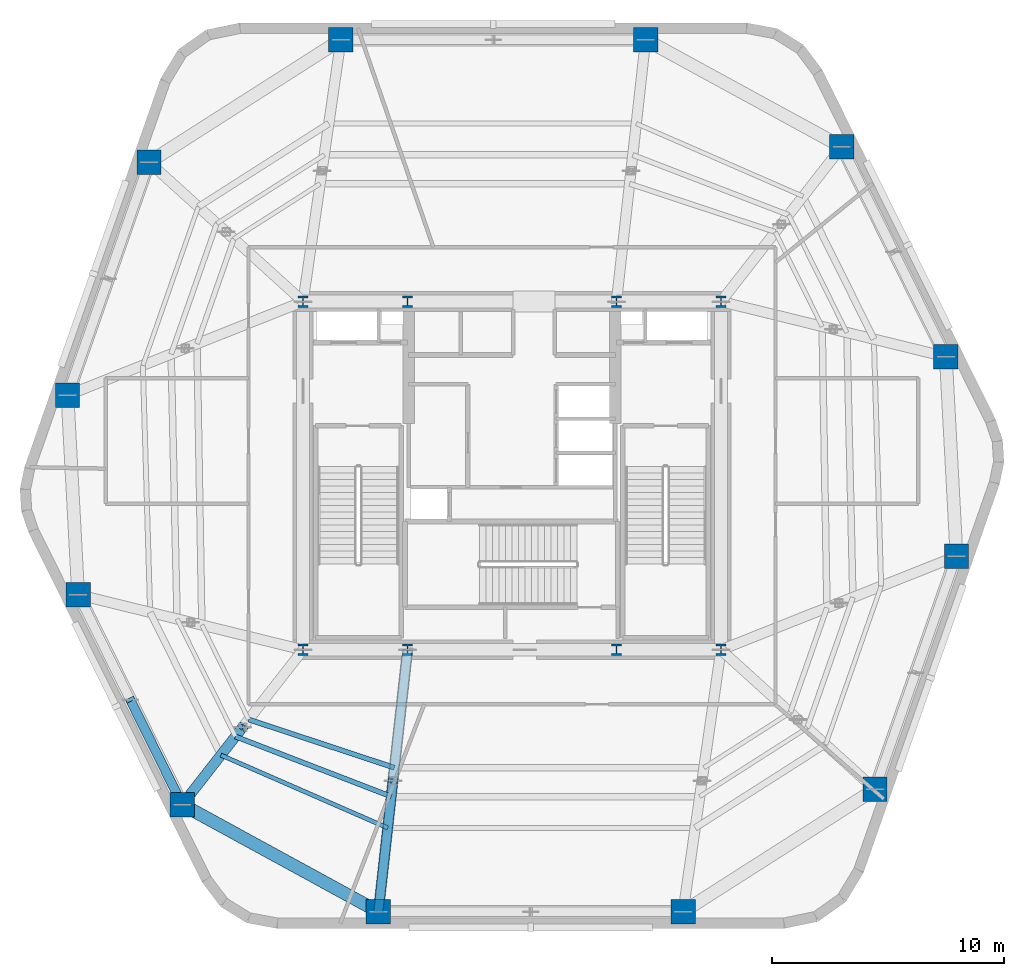
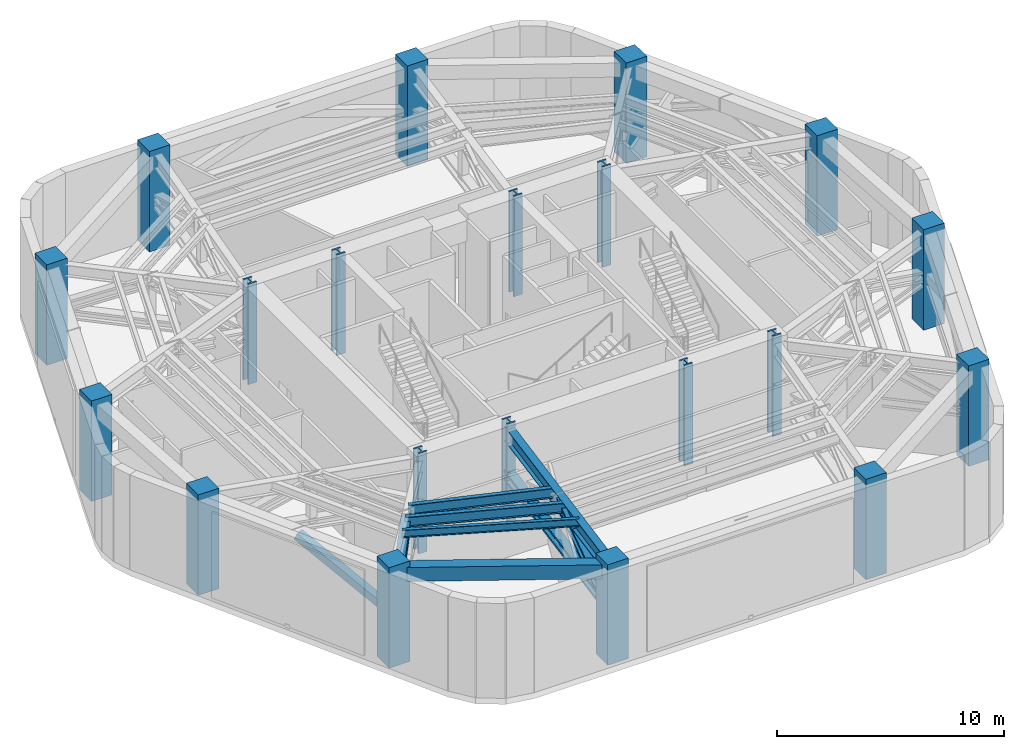
# One storey, part 1 of 10: 20 columns, 5 beams, 4 members.
"""IFC4 building model written with IfcOpenShell, lengths in metres."""

import ifcopenshell
import ifcopenshell.guid

model = None  # the IFC model being written
_history = None  # IfcOwnerHistory: only IFC2X3 demands one
_inside = {}  # id of a spatial element -> (the spatial element, [elements in it])
_under = {}  # id of a project, library or spatial element -> (it, [spatial elements below it])
_declared = {}  # id of a project -> (the project, [libraries it declares])
_typed = {}  # id of a type object -> (the type object, [elements of that type])
_made_of = {}  # id of a material, layer set ... -> (it, [elements and type objects made of it])


def new_model(schema):
    """Start an empty IFC model of exactly this schema.

    Asked for "IFC4X3", IfcOpenShell would pick the latest addendum, in which some entities
    have other attributes; the version numbers below select the first issue.
    IFC2X3 requires an IfcOwnerHistory on every rooted entity: one is made here for all.
    """
    global model, _history
    if schema == "IFC4X3":
        model = ifcopenshell.file(schema_version=(4, 3, 0, 0))
    else:
        model = ifcopenshell.file(schema=schema)
    _inside.clear()
    _under.clear()
    _declared.clear()
    _typed.clear()
    _made_of.clear()
    _history = None
    if model.schema == "IFC2X3":
        org = make("IfcOrganization", Name="unknown")
        user = make(
            "IfcPersonAndOrganization",
            ThePerson=make("IfcPerson", FamilyName="unknown"),
            TheOrganization=org,
        )
        app = make(
            "IfcApplication",
            ApplicationDeveloper=org,
            Version="unknown",
            ApplicationFullName="unknown",
            ApplicationIdentifier="unknown",
        )
        _history = make(
            "IfcOwnerHistory",
            OwningUser=user,
            OwningApplication=app,
            ChangeAction="ADDED",
            CreationDate=0,
        )
    return model


def make(cls, **values):
    """One entity of the class cls with the attributes given. An attribute that is None is left unset."""
    return model.create_entity(
        cls, **{name: value for name, value in values.items() if value is not None}
    )


def rooted(cls, **values):
    """An entity with a GlobalId (a new one), such as an element, a storey or a relation."""
    return make(cls, GlobalId=ifcopenshell.guid.new(), OwnerHistory=_history, **values)


def si_unit(unit_type, name, prefix=None):
    """IfcSIUnit, for example si_unit("LENGTHUNIT", "METRE", prefix="MILLI")."""
    return make("IfcSIUnit", UnitType=unit_type, Prefix=prefix, Name=name)


def assignment(units):
    """IfcUnitAssignment: the units of a project."""
    return None if units is None else make("IfcUnitAssignment", Units=units)


def point(xyz):
    """IfcCartesianPoint."""
    return None if xyz is None else make("IfcCartesianPoint", Coordinates=xyz)


def direction(xyz):
    """IfcDirection."""
    return None if xyz is None else make("IfcDirection", DirectionRatios=xyz)


def frame(location, z_axis=None, x_axis=None):
    """IfcAxis2Placement3D, a coordinate frame: its origin and axes. An axis left out is left unset."""
    return make(
        "IfcAxis2Placement3D",
        Location=point(location),
        Axis=direction(z_axis),
        RefDirection=direction(x_axis),
    )


def frame_2d(location, x_axis=None):
    """IfcAxis2Placement2D, a coordinate frame in the plane: its origin and x axis."""
    return make(
        "IfcAxis2Placement2D", Location=point(location), RefDirection=direction(x_axis)
    )


def origin():
    """The frame at (0, 0, 0) with its axes left unset."""
    return frame((0.0, 0.0, 0.0))


def origin_2d():
    """The frame at (0, 0) in the plane with its x axis left unset."""
    return frame_2d((0.0, 0.0))


def place(relative_to, where):
    """IfcLocalPlacement: puts the frame where relative to a parent placement (None: the world)."""
    return make(
        "IfcLocalPlacement", PlacementRelTo=relative_to, RelativePlacement=where
    )


def context(
    kind, dimensions, precision=None, world=None, true_north=None, identifier=None
):
    """IfcGeometricRepresentationContext, for example the 3D "Model" context."""
    return make(
        "IfcGeometricRepresentationContext",
        ContextIdentifier=identifier,
        ContextType=kind,
        CoordinateSpaceDimension=dimensions,
        Precision=precision,
        WorldCoordinateSystem=world,
        TrueNorth=true_north,
    )


def subcontext(parent, identifier, kind, view, scale=None):
    """IfcGeometricRepresentationSubContext, for example "Body" below "Model"."""
    return make(
        "IfcGeometricRepresentationSubContext",
        ContextIdentifier=identifier,
        ContextType=kind,
        ParentContext=parent,
        TargetScale=scale,
        TargetView=view,
    )


def project(units=None, contexts=None):
    """IfcProject with its units and contexts."""
    return rooted(
        "IfcProject",
        Name="project",
        RepresentationContexts=contexts,
        UnitsInContext=assignment(units),
    )


def spatial(cls, under=None, at=None, **own):
    """A site, building, storey or space (cls), placed at a placement, below another one or the project."""
    s = rooted(cls, ObjectPlacement=at, **own)
    if under is not None:
        _under.setdefault(under.id(), (under, []))[1].append(s)
    return s


def profile(cls, at=None, kind="AREA", **sizes):
    """A parametric profile (cls). Its sizes go by their IFC names, for example OverallWidth=200.0."""
    return make(cls, ProfileType=kind, Position=at, **sizes)


def rectangle(**sizes):
    """IfcRectangleProfileDef."""
    return profile("IfcRectangleProfileDef", **sizes)


def hollow_rectangle(**sizes):
    """IfcRectangleHollowProfileDef."""
    return profile("IfcRectangleHollowProfileDef", **sizes)


def i_section(**sizes):
    """IfcIShapeProfileDef."""
    return profile("IfcIShapeProfileDef", **sizes)


def extrude(swept, where, along, depth):
    """IfcExtrudedAreaSolid: the profile swept, set in the frame where, extruded along a direction by depth."""
    return make(
        "IfcExtrudedAreaSolid",
        SweptArea=swept,
        Position=where,
        ExtrudedDirection=direction(along),
        Depth=depth,
    )


def shape(context_of_items, identifier, shape_type, items):
    """IfcShapeRepresentation: the items that make up one representation, for example the "Body"."""
    return make(
        "IfcShapeRepresentation",
        ContextOfItems=context_of_items,
        RepresentationIdentifier=identifier,
        RepresentationType=shape_type,
        Items=items,
    )


def material(Name=None, Category=None):
    """IfcMaterial."""
    return make("IfcMaterial", Name=Name, Category=Category)


def material_profile(
    of_material, cross_section, Name=None, Category=None, Priority=None
):
    """IfcMaterialProfile: a cross section and its material."""
    return make(
        "IfcMaterialProfile",
        Name=Name,
        Material=of_material,
        Profile=cross_section,
        Priority=Priority,
        Category=Category,
    )


def profile_set(profiles, Name=None, composite=None):
    """IfcMaterialProfileSet."""
    return make(
        "IfcMaterialProfileSet",
        Name=Name,
        MaterialProfiles=profiles,
        CompositeProfile=composite,
    )


def made_of(thing, what):
    """Note that an element or type object is made of a material, layer set ...; save() writes the relation."""
    if what is not None:
        _made_of.setdefault(what.id(), (what, []))[1].append(thing)
    return thing


def type_object(cls, material=None, **own):
    """A type object (cls), such as IfcWallType, which elements share."""
    return made_of(rooted(cls, **own), material)


def element(
    cls,
    number,
    at=None,
    inside=None,
    cuts=None,
    type_object=None,
    material=None,
    context=None,
    identifier="Body",
    shape_type=None,
    held_by="IfcProductDefinitionShape",
    body=None,
    shapes=None,
    **own,
):
    """One element of the class cls, such as IfcWall. Its Tag is "e" and its number.

    at: its placement. inside: the storey or other place that contains it. cuts: it is an
    opening in that element (IfcRelVoidsElement). A single representation is given by context,
    identifier, shape_type and body (its items); several are given by shapes. held_by: the class
    of the entity that holds the representations. save() writes the other relations.
    """
    e = rooted(cls, Tag="e%d" % number, ObjectPlacement=at, **own)
    if body is not None:
        shapes = [shape(context, identifier, shape_type, body)]
    if shapes is not None:
        e.Representation = make(held_by, Representations=shapes)
    if inside is not None:
        _inside.setdefault(inside.id(), (inside, []))[1].append(e)
    if cuts is not None:
        rooted(
            "IfcRelVoidsElement", RelatingBuildingElement=cuts, RelatedOpeningElement=e
        )
    if type_object is not None:
        _typed.setdefault(type_object.id(), (type_object, []))[1].append(e)
    return made_of(e, material)


def aggregate(whole, parts):
    """IfcRelAggregates: a whole, such as a stair, and the parts it consists of."""
    return rooted("IfcRelAggregates", RelatingObject=whole, RelatedObjects=parts)


def save(model, path):
    """Write the relations noted so far, then the file.

    IfcRelAggregates (storeys below a building ...), IfcRelContainedInSpatialStructure (elements
    in a storey), IfcRelDefinesByType, IfcRelAssociatesMaterial and IfcRelDeclares: one each for
    every whole, place, type object, material and project.
    """
    for whole, parts in _under.values():
        aggregate(whole, parts)
    for where, things in _inside.values():
        rooted(
            "IfcRelContainedInSpatialStructure",
            RelatedElements=things,
            RelatingStructure=where,
        )
    for kind, things in _typed.values():
        rooted("IfcRelDefinesByType", RelatedObjects=things, RelatingType=kind)
    for what, things in _made_of.values():
        rooted("IfcRelAssociatesMaterial", RelatedObjects=things, RelatingMaterial=what)
    for by, libraries in _declared.values():
        rooted("IfcRelDeclares", RelatingContext=by, RelatedDefinitions=libraries)
    model.write(path)


model = new_model("IFC4")

# Units and contexts
model_context = context("Model", 3, precision=1e-05, world=origin(), true_north=direction((0.0, 1.0)))
body_context = subcontext(model_context, "Body", "Model", "MODEL_VIEW")
ifc_project = project(units=[si_unit("LENGTHUNIT", "METRE"), si_unit("AREAUNIT", "SQUARE_METRE"), si_unit("VOLUMEUNIT", "CUBIC_METRE"), si_unit("PLANEANGLEUNIT", "RADIAN"), si_unit("MASSUNIT", "GRAM", prefix="KILO")], contexts=[model_context])

# Site, building, storey
site_placement = place(None, origin())
site = spatial("IfcSite", under=ifc_project, at=site_placement, CompositionType="ELEMENT")
building_placement = place(site_placement, origin())
building = spatial("IfcBuilding", under=site, at=building_placement, Name="Kilnhurst Terrace Hotel", CompositionType="ELEMENT")
storey_placement = place(building_placement, frame((0.0, 0.0, 170.199951171875)))
storey = spatial("IfcBuildingStorey", under=building, at=storey_placement, Name="L42", CompositionType="ELEMENT", Elevation=170.199951171875)

# Columns
ifc_material_1 = material(Name="Concrete C80/95", Category="concrete")
ifc_material_profile_1 = material_profile(ifc_material_1, rectangle(XDim=1.050048828125, YDim=1.050048828125, at=origin_2d()), Name="RC1050X1050")
ifc_profile_set_1 = profile_set([ifc_material_profile_1], Name="Concrete C80/95")
column_type_1 = type_object("IfcColumnType", Name="COL-RC-1050", PredefinedType="COLUMN", material=ifc_profile_set_1)
for number, where, z_axis, x_axis, name in (
    (1, (-5.7548828125, -18.780029296875, 0.0), (0.0, 0.0, 1.0), (1.0, 0.0, 0.0), "L42 Structural Column PC-F11"),
    (2, (7.368896484375, -18.780029296875, 0.0), (0.0, 0.0, 1.0), (1.0, 0.0, 0.0), "L42 Structural Column PC-F12"),
    (3, (15.633056640625, -13.5048828125, 0.0), (0.0, 0.0, 1.0), (1.0, 0.0, 0.0), "L42 Structural Column PC-F21"),
    (4, (19.14794921875, -3.467041015625, 0.0), (0.0, 0.0, 1.0), (1.0, 0.0, 0.0), "L42 Structural Column PC-F22"),
    (5, (18.68701171875, 5.1240234375, 0.0), (0.0, 0.0, 1.0), (1.0, 0.0, 0.0), "L42 Structural Column PC-F31"),
    (6, (14.2041015625, 14.166015625, 0.0), (0.0, 0.0, 1.0), (1.0, 0.0, 0.0), "L42 Structural Column PC-F32"),
    (7, (5.7548828125, 18.780029296875, 0.0), (0.0, 0.0, 1.0), (1.0, 0.0, 0.0), "L42 Structural Column PC-F41"),
    (8, (-7.368896484375, 18.780029296875, 0.0), (0.0, 0.0, 1.0), (1.0, 0.0, 0.0), "L42 Structural Column PC-F42"),
    (9, (-15.633056640625, 13.5048828125, 0.0), (0.0, 0.0, 1.0), (1.0, 0.0, 0.0), "L42 Structural Column PC-F51"),
    (10, (-19.14794921875, 3.467041015625, 0.0), (0.0, 0.0, 1.0), (1.0, 0.0, 0.0), "L42 Structural Column PC-F52"),
    (11, (-18.68701171875, -5.1240234375, 0.0), (0.0, 0.0, 1.0), (1.0, 0.0, 0.0), "L42 Structural Column PC-F61"),
    (12, (-14.2041015625, -14.166015625, 0.0), (0.0, 0.0, 1.0), (1.0, 0.0, 0.0), "L42 Structural Column PC-F62"),
):
    element("IfcColumn", number, at=place(storey_placement, frame(where, z_axis=z_axis, x_axis=x_axis)), inside=storey, type_object=column_type_1, Name=name, PredefinedType="COLUMN", context=body_context, shape_type="SweptSolid", body=[
        extrude(rectangle(XDim=1.050048828125, YDim=1.050048828125, at=origin_2d()), origin(), (0.0, 0.0, 1.0), 5.400146484375),
    ])
ifc_material_2 = material(Name="Steel ASTM A992 Grade 50", Category="steel")
ifc_material_profile_2 = material_profile(ifc_material_2, i_section(OverallWidth=0.43212890625, OverallDepth=0.497802734375, WebThickness=0.0556640625, FlangeThickness=0.0888671875, at=origin_2d()), Name="W14X500")
ifc_profile_set_2 = profile_set([ifc_material_profile_2], Name="Steel ASTM A992 Grade 50")
column_type_2 = type_object("IfcColumnType", Name="COL-STL-W14X500", PredefinedType="COLUMN", material=ifc_profile_set_2)
for number, where, z_axis, x_axis, name in (
    (13, (-9.0, -7.5, 0.0), (0.0, 0.0, 1.0), (1.0, 0.0, 0.0), "L42 Structural Column CC-SW"),
    (14, (-4.5, -7.5, 0.0), (0.0, 0.0, 1.0), (1.0, 0.0, 0.0), "L42 Structural Column CC-SC1"),
    (15, (4.5, -7.5, 0.0), (0.0, 0.0, 1.0), (1.0, 0.0, 0.0), "L42 Structural Column CC-SC2"),
    (16, (9.0, -7.5, 0.0), (0.0, 0.0, 1.0), (1.0, 0.0, 0.0), "L42 Structural Column CC-SE"),
    (17, (9.0, 7.5, 0.0), (0.0, 0.0, 1.0), (1.0, 0.0, 0.0), "L42 Structural Column CC-NE"),
    (18, (4.5, 7.5, 0.0), (0.0, 0.0, 1.0), (1.0, 0.0, 0.0), "L42 Structural Column CC-NC2"),
    (19, (-4.5, 7.5, 0.0), (0.0, 0.0, 1.0), (1.0, 0.0, 0.0), "L42 Structural Column CC-NC1"),
    (20, (-9.0, 7.5, 0.0), (0.0, 0.0, 1.0), (1.0, 0.0, 0.0), "L42 Structural Column CC-NW"),
):
    element("IfcColumn", number, at=place(storey_placement, frame(where, z_axis=z_axis, x_axis=x_axis)), inside=storey, type_object=column_type_2, Name=name, PredefinedType="COLUMN", context=body_context, shape_type="SweptSolid", body=[
        extrude(i_section(OverallWidth=0.43212890625, OverallDepth=0.497802734375, WebThickness=0.0556640625, FlangeThickness=0.0888671875, at=origin_2d()), origin(), (0.0, 0.0, 1.0), 5.400146484375),
    ])

# Beams
ifc_material_3 = material(Name="Concrete C50/60", Category="concrete")
ifc_material_profile_3 = material_profile(ifc_material_3, rectangle(XDim=0.550048828125, YDim=0.75, at=origin_2d()), Name="RC550X750")
ifc_profile_set_3 = profile_set([ifc_material_profile_3], Name="Concrete C50/60")
beam_type_1 = type_object("IfcBeamType", Name="BM-SPN-550X750", PredefinedType="SPANDREL", material=ifc_profile_set_3)
beam_1_placement = place(storey_placement, frame((-14.2041015625, -14.166015625, 4.72509765625), z_axis=(0.87766189723, -0.479280287672, 0.0), x_axis=(0.479280287672, 0.87766189723, 0.0)))
element("IfcBeam", 21, at=beam_1_placement, inside=storey, type_object=beam_type_1, Name="L42 Perimeter Spandrel Beam 12", PredefinedType="SPANDREL", context=body_context, shape_type="SweptSolid", body=[
    extrude(rectangle(XDim=0.550048828125, YDim=0.75, at=origin_2d()), origin(), (0.0, 0.0, 1.0), 9.626953125),
])
ifc_material_profile_4 = material_profile(ifc_material_2, i_section(OverallWidth=0.380615234375, OverallDepth=0.773193359375, WebThickness=0.0166015625, FlangeThickness=0.027099609375, at=origin_2d()), Name="W30X173")
ifc_profile_set_4 = profile_set([ifc_material_profile_4], Name="Steel ASTM A992 Grade 50")
beam_type_2 = type_object("IfcBeamType", Name="BM-STL-W30X173", PredefinedType="BEAM", material=ifc_profile_set_4)
beam_2_placement = place(storey_placement, frame((-4.5, -7.5, 4.713134765625), z_axis=(-0.110566099441, -0.993868772854, 0.0), x_axis=(0.993868772854, -0.110566099441, 0.0)))
element("IfcBeam", 22, at=beam_2_placement, inside=storey, type_object=beam_type_2, Name="L42 Radial Floor Beam 1", PredefinedType="BEAM", context=body_context, shape_type="SweptSolid", body=[
    extrude(i_section(OverallWidth=0.380615234375, OverallDepth=0.773193359375, WebThickness=0.0166015625, FlangeThickness=0.027099609375, at=origin_2d()), origin(), (0.0, 0.0, 1.0), 11.349609375),
])
ifc_material_profile_5 = material_profile(ifc_material_2, i_section(OverallWidth=0.180908203125, OverallDepth=0.417236328125, WebThickness=0.010986328125, FlangeThickness=0.018310546875, at=origin_2d()), Name="W16X57")
ifc_profile_set_5 = profile_set([ifc_material_profile_5], Name="Steel ASTM A992 Grade 50")
beam_type_3 = type_object("IfcBeamType", Name="JST-STL-W16X57", PredefinedType="JOIST", material=ifc_profile_set_5)
beam_3_placement = place(storey_placement, frame((-12.538818359375, -12.032958984375, 4.89111328125), z_axis=(0.916443679054, -0.400163695407, 0.0), x_axis=(0.400163695407, 0.916443679054, 0.0)))
element("IfcBeam", 23, at=beam_3_placement, inside=storey, type_object=beam_type_3, Name="L42 Secondary Floor Steel Joist OUT.12", PredefinedType="JOIST", context=body_context, shape_type="SweptSolid", body=[
    extrude(i_section(OverallWidth=0.180908203125, OverallDepth=0.417236328125, WebThickness=0.010986328125, FlangeThickness=0.018310546875, at=origin_2d()), origin(), (0.0, 0.0, 1.0), 7.84033203125),
])
ifc_material_profile_6 = material_profile(ifc_material_2, i_section(OverallWidth=0.2138671875, OverallDepth=0.549072265625, WebThickness=0.0146484375, FlangeThickness=0.023681640625, at=origin_2d()), Name="W21X93")
ifc_profile_set_6 = profile_set([ifc_material_profile_6], Name="Steel ASTM A992 Grade 50")
beam_type_4 = type_object("IfcBeamType", Name="JST-STL-W21X93", PredefinedType="JOIST", material=ifc_profile_set_6)
beam_4_placement = place(storey_placement, frame((-11.341796875, -10.499755859375, 4.824951171875), z_axis=(0.949415572736, -0.314022404051, 0.0), x_axis=(0.314022404051, 0.949415572736, 0.0)))
element("IfcBeam", 24, at=beam_4_placement, inside=storey, type_object=beam_type_4, Name="L42 Secondary Floor Steel Joist IN.12", PredefinedType="JOIST", context=body_context, shape_type="SweptSolid", body=[
    extrude(i_section(OverallWidth=0.2138671875, OverallDepth=0.549072265625, WebThickness=0.0146484375, FlangeThickness=0.023681640625, at=origin_2d()), origin(), (0.0, 0.0, 1.0), 6.611572265625),
])
beam_5_placement = place(storey_placement, frame((-11.914306640625, -11.23291015625, 4.824951171875), z_axis=(0.93322130885, -0.35930208559, 0.0), x_axis=(0.35930208559, 0.93322130885, 0.0)))
element("IfcBeam", 25, at=beam_5_placement, inside=storey, type_object=beam_type_4, Name="L42 Secondary Floor Steel Joist MID.12", PredefinedType="JOIST", context=body_context, shape_type="SweptSolid", body=[
    extrude(i_section(OverallWidth=0.2138671875, OverallDepth=0.549072265625, WebThickness=0.0146484375, FlangeThickness=0.023681640625, at=origin_2d()), origin(), (0.0, 0.0, 1.0), 7.191650390625),
])

# Members
ifc_material_4 = material(Name="Steel ASTM A500 Grade C", Category="steel")
ifc_material_profile_7 = material_profile(ifc_material_4, hollow_rectangle(XDim=0.39990234375, YDim=0.39990234375, WallThickness=0.01611328125, at=origin_2d()), Name="HSS400X400X16")
ifc_profile_set_7 = profile_set([ifc_material_profile_7], Name="Steel ASTM A500 Grade C")
member_type_1 = type_object("IfcMemberType", Name="MEM-BLT-HSS-400", PredefinedType="BRACE", material=ifc_profile_set_7)
member_1_placement = place(storey_placement, frame((-14.2041015625, -14.166015625, 2.52001953125), z_axis=(-0.406361737859, 0.81944970725, 0.404193413221), x_axis=(-0.895893093489, -0.444269698537, 0.0)))
element("IfcMember", 26, at=member_1_placement, inside=storey, type_object=member_type_1, Name="L42 Belt Truss Right Diagonal 6", PredefinedType="BRACE", context=body_context, shape_type="SweptSolid", body=[
    extrude(hollow_rectangle(XDim=0.39990234375, YDim=0.39990234375, WallThickness=0.01611328125, at=origin_2d()), origin(), (0.0, 0.0, 1.0), 5.51708984375),
])
ifc_material_profile_8 = material_profile(ifc_material_2, i_section(OverallWidth=0.44189453125, OverallDepth=0.531494140625, WebThickness=0.06591796875, FlangeThickness=0.105712890625, at=origin_2d()), Name="W14X605")
ifc_profile_set_8 = profile_set([ifc_material_profile_8], Name="Steel ASTM A992 Grade 50")
member_type_2 = type_object("IfcMemberType", Name="MEM-CHD-W14X605", PredefinedType="CHORD", material=ifc_profile_set_8)
member_2_placement = place(storey_placement, frame((-4.5, -7.5, 2.52001953125), z_axis=(-0.110566099441, -0.993868772854, 0.0), x_axis=(0.993868772854, -0.110566099441, 0.0)))
element("IfcMember", 27, at=member_2_placement, inside=storey, type_object=member_type_2, Name="L42 Outrigger Bottom Chord 1", PredefinedType="CHORD", context=body_context, shape_type="SweptSolid", body=[
    extrude(i_section(OverallWidth=0.44189453125, OverallDepth=0.531494140625, WebThickness=0.06591796875, FlangeThickness=0.105712890625, at=origin_2d()), origin(), (0.0, 0.0, 1.0), 11.349609375),
])
ifc_material_profile_9 = material_profile(ifc_material_2, i_section(OverallWidth=0.44189453125, OverallDepth=0.531494140625, WebThickness=0.06591796875, FlangeThickness=0.105712890625, at=origin_2d()), Name="W14X605")
ifc_profile_set_9 = profile_set([ifc_material_profile_9], Name="Steel ASTM A992 Grade 50")
member_type_3 = type_object("IfcMemberType", Name="MEM-OTR-DIAG-605", PredefinedType="BRACE", material=ifc_profile_set_9)
member_3_placement = place(storey_placement, frame((-5.126953125, -13.139892578125, 4.75), z_axis=(-0.102983237325, -0.925007289533, -0.365726628975), x_axis=(0.993859577489, -0.110648724496, 0.0)))
element("IfcMember", 28, at=member_3_placement, inside=storey, type_object=member_type_3, Name="L42 Outrigger Outer Diagonal 1", PredefinedType="BRACE", context=body_context, shape_type="SweptSolid", body=[
    extrude(i_section(OverallWidth=0.44189453125, OverallDepth=0.531494140625, WebThickness=0.06591796875, FlangeThickness=0.105712890625, at=origin_2d()), origin(), (0.0, 0.0, 1.0), 6.097412109375),
])
member_4_placement = place(storey_placement, frame((-11.60205078125, -10.8330078125, 4.75), z_axis=(-0.544314179642, -0.697220602408, -0.466482052622), x_axis=(0.78823791104, -0.615370616457, 0.0)))
element("IfcMember", 29, at=member_4_placement, inside=storey, type_object=member_type_3, Name="L42 Outrigger Outer Diagonal 12", PredefinedType="BRACE", context=body_context, shape_type="SweptSolid", body=[
    extrude(i_section(OverallWidth=0.44189453125, OverallDepth=0.531494140625, WebThickness=0.06591796875, FlangeThickness=0.105712890625, at=origin_2d()), origin(), (0.0, 0.0, 1.0), 4.780517578125),
])

save(model, "model.ifc")
